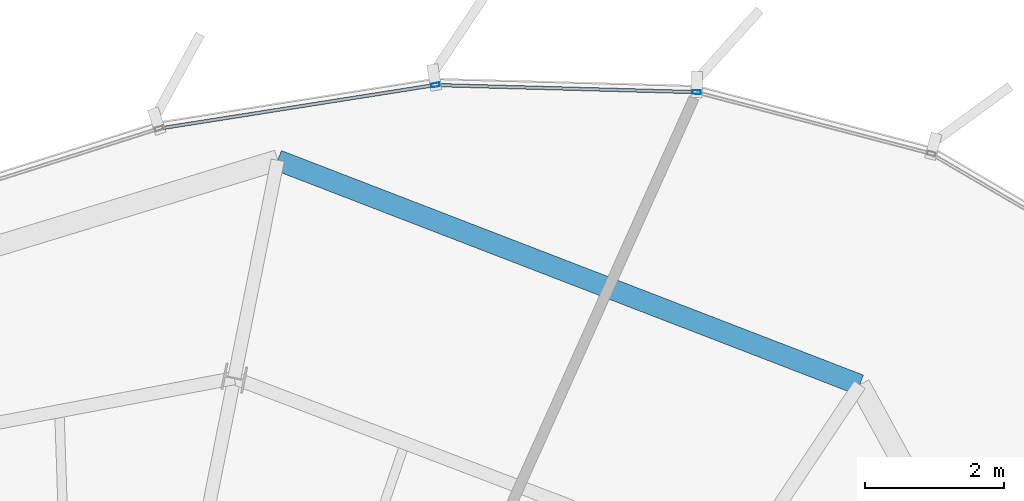
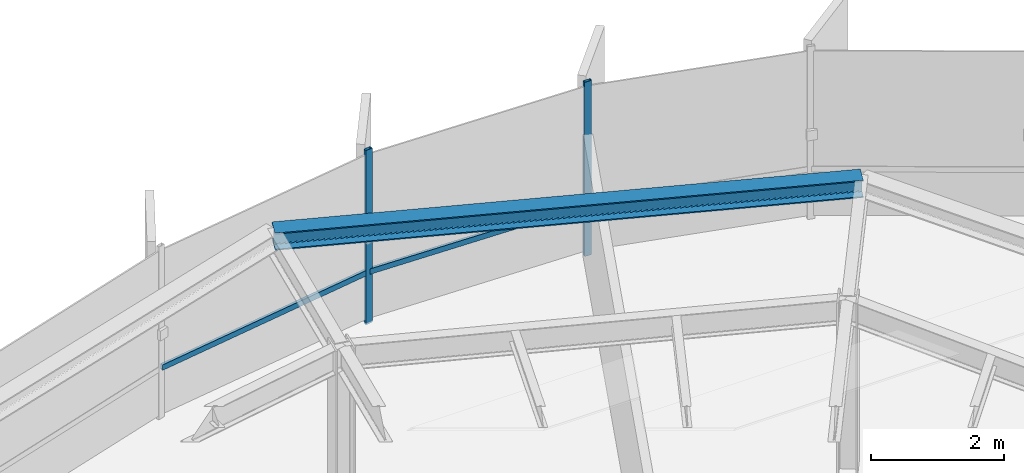
# One storey, part 24 of 36: 4 members, 1 beam, 1 element without a shape of its own.
"""IFC4 building model written with IfcOpenShell, lengths in metres."""

import ifcopenshell
import ifcopenshell.guid

model = None  # the IFC model being written
_history = None  # IfcOwnerHistory: only IFC2X3 demands one
_inside = {}  # id of a spatial element -> (the spatial element, [elements in it])
_under = {}  # id of a project, library or spatial element -> (it, [spatial elements below it])
_declared = {}  # id of a project -> (the project, [libraries it declares])
_typed = {}  # id of a type object -> (the type object, [elements of that type])
_made_of = {}  # id of a material, layer set ... -> (it, [elements and type objects made of it])


def new_model(schema):
    """Start an empty IFC model of exactly this schema.

    Asked for "IFC4X3", IfcOpenShell would pick the latest addendum, in which some entities
    have other attributes; the version numbers below select the first issue.
    IFC2X3 requires an IfcOwnerHistory on every rooted entity: one is made here for all.
    """
    global model, _history
    if schema == "IFC4X3":
        model = ifcopenshell.file(schema_version=(4, 3, 0, 0))
    else:
        model = ifcopenshell.file(schema=schema)
    _inside.clear()
    _under.clear()
    _declared.clear()
    _typed.clear()
    _made_of.clear()
    _history = None
    if model.schema == "IFC2X3":
        org = make("IfcOrganization", Name="unknown")
        user = make(
            "IfcPersonAndOrganization",
            ThePerson=make("IfcPerson", FamilyName="unknown"),
            TheOrganization=org,
        )
        app = make(
            "IfcApplication",
            ApplicationDeveloper=org,
            Version="unknown",
            ApplicationFullName="unknown",
            ApplicationIdentifier="unknown",
        )
        _history = make(
            "IfcOwnerHistory",
            OwningUser=user,
            OwningApplication=app,
            ChangeAction="ADDED",
            CreationDate=0,
        )
    return model


def make(cls, **values):
    """One entity of the class cls with the attributes given. An attribute that is None is left unset."""
    return model.create_entity(
        cls, **{name: value for name, value in values.items() if value is not None}
    )


def rooted(cls, **values):
    """An entity with a GlobalId (a new one), such as an element, a storey or a relation."""
    return make(cls, GlobalId=ifcopenshell.guid.new(), OwnerHistory=_history, **values)


def si_unit(unit_type, name, prefix=None):
    """IfcSIUnit, for example si_unit("LENGTHUNIT", "METRE", prefix="MILLI")."""
    return make("IfcSIUnit", UnitType=unit_type, Prefix=prefix, Name=name)


def assignment(units):
    """IfcUnitAssignment: the units of a project."""
    return None if units is None else make("IfcUnitAssignment", Units=units)


def point(xyz):
    """IfcCartesianPoint."""
    return None if xyz is None else make("IfcCartesianPoint", Coordinates=xyz)


def direction(xyz):
    """IfcDirection."""
    return None if xyz is None else make("IfcDirection", DirectionRatios=xyz)


def frame(location, z_axis=None, x_axis=None):
    """IfcAxis2Placement3D, a coordinate frame: its origin and axes. An axis left out is left unset."""
    return make(
        "IfcAxis2Placement3D",
        Location=point(location),
        Axis=direction(z_axis),
        RefDirection=direction(x_axis),
    )


def frame_2d(location, x_axis=None):
    """IfcAxis2Placement2D, a coordinate frame in the plane: its origin and x axis."""
    return make(
        "IfcAxis2Placement2D", Location=point(location), RefDirection=direction(x_axis)
    )


def origin():
    """The frame at (0, 0, 0) with its axes left unset."""
    return frame((0.0, 0.0, 0.0))


def origin_2d():
    """The frame at (0, 0) in the plane with its x axis left unset."""
    return frame_2d((0.0, 0.0))


def place(relative_to, where):
    """IfcLocalPlacement: puts the frame where relative to a parent placement (None: the world)."""
    return make(
        "IfcLocalPlacement", PlacementRelTo=relative_to, RelativePlacement=where
    )


def context(
    kind, dimensions, precision=None, world=None, true_north=None, identifier=None
):
    """IfcGeometricRepresentationContext, for example the 3D "Model" context."""
    return make(
        "IfcGeometricRepresentationContext",
        ContextIdentifier=identifier,
        ContextType=kind,
        CoordinateSpaceDimension=dimensions,
        Precision=precision,
        WorldCoordinateSystem=world,
        TrueNorth=true_north,
    )


def subcontext(parent, identifier, kind, view, scale=None):
    """IfcGeometricRepresentationSubContext, for example "Body" below "Model"."""
    return make(
        "IfcGeometricRepresentationSubContext",
        ContextIdentifier=identifier,
        ContextType=kind,
        ParentContext=parent,
        TargetScale=scale,
        TargetView=view,
    )


def project(units=None, contexts=None):
    """IfcProject with its units and contexts."""
    return rooted(
        "IfcProject",
        Name="project",
        RepresentationContexts=contexts,
        UnitsInContext=assignment(units),
    )


def spatial(cls, under=None, at=None, **own):
    """A site, building, storey or space (cls), placed at a placement, below another one or the project."""
    s = rooted(cls, ObjectPlacement=at, **own)
    if under is not None:
        _under.setdefault(under.id(), (under, []))[1].append(s)
    return s


def profile(cls, at=None, kind="AREA", **sizes):
    """A parametric profile (cls). Its sizes go by their IFC names, for example OverallWidth=200.0."""
    return make(cls, ProfileType=kind, Position=at, **sizes)


def hollow_rectangle(**sizes):
    """IfcRectangleHollowProfileDef."""
    return profile("IfcRectangleHollowProfileDef", **sizes)


def i_section(**sizes):
    """IfcIShapeProfileDef."""
    return profile("IfcIShapeProfileDef", **sizes)


def extrude(swept, where, along, depth):
    """IfcExtrudedAreaSolid: the profile swept, set in the frame where, extruded along a direction by depth."""
    return make(
        "IfcExtrudedAreaSolid",
        SweptArea=swept,
        Position=where,
        ExtrudedDirection=direction(along),
        Depth=depth,
    )


def shape(context_of_items, identifier, shape_type, items):
    """IfcShapeRepresentation: the items that make up one representation, for example the "Body"."""
    return make(
        "IfcShapeRepresentation",
        ContextOfItems=context_of_items,
        RepresentationIdentifier=identifier,
        RepresentationType=shape_type,
        Items=items,
    )


def source(mapping_origin, context_of_items, identifier, shape_type, items):
    """IfcRepresentationMap: a shape defined once, which mapped items show again and again."""
    return make(
        "IfcRepresentationMap",
        MappingOrigin=mapping_origin,
        MappedRepresentation=shape(context_of_items, identifier, shape_type, items),
    )


def transform(
    local_origin,
    x_axis=None,
    y_axis=None,
    z_axis=None,
    scale=None,
    scale2=None,
    scale3=None,
    uniform=True,
):
    """IfcCartesianTransformationOperator3D, or its non-uniform kind. x_axis, y_axis, z_axis: its Axis1, 2, 3."""
    if uniform:
        return make(
            "IfcCartesianTransformationOperator3D",
            Axis1=direction(x_axis),
            Axis2=direction(y_axis),
            LocalOrigin=point(local_origin),
            Scale=scale,
            Axis3=direction(z_axis),
        )
    return make(
        "IfcCartesianTransformationOperator3DnonUniform",
        Axis1=direction(x_axis),
        Axis2=direction(y_axis),
        LocalOrigin=point(local_origin),
        Scale=scale,
        Axis3=direction(z_axis),
        Scale2=scale2,
        Scale3=scale3,
    )


def mapped(mapping_source, mapping_target):
    """IfcMappedItem: shows the shape of a source again, moved by a transform."""
    return make(
        "IfcMappedItem", MappingSource=mapping_source, MappingTarget=mapping_target
    )


def material(Name=None, Category=None):
    """IfcMaterial."""
    return make("IfcMaterial", Name=Name, Category=Category)


def layer(
    of_material, thickness, ventilated=None, Name=None, Category=None, Priority=None
):
    """IfcMaterialLayer: one layer of a wall or slab, of a material (None: an air gap)."""
    return make(
        "IfcMaterialLayer",
        Material=of_material,
        LayerThickness=thickness,
        IsVentilated=ventilated,
        Name=Name,
        Category=Category,
        Priority=Priority,
    )


def layer_set(layers, Name=None):
    """IfcMaterialLayerSet."""
    return make("IfcMaterialLayerSet", MaterialLayers=layers, LayerSetName=Name)


def material_profile(
    of_material, cross_section, Name=None, Category=None, Priority=None
):
    """IfcMaterialProfile: a cross section and its material."""
    return make(
        "IfcMaterialProfile",
        Name=Name,
        Material=of_material,
        Profile=cross_section,
        Priority=Priority,
        Category=Category,
    )


def profile_set(profiles, Name=None, composite=None):
    """IfcMaterialProfileSet."""
    return make(
        "IfcMaterialProfileSet",
        Name=Name,
        MaterialProfiles=profiles,
        CompositeProfile=composite,
    )


def made_of(thing, what):
    """Note that an element or type object is made of a material, layer set ...; save() writes the relation."""
    if what is not None:
        _made_of.setdefault(what.id(), (what, []))[1].append(thing)
    return thing


def type_object(cls, material=None, **own):
    """A type object (cls), such as IfcWallType, which elements share."""
    return made_of(rooted(cls, **own), material)


def element(
    cls,
    number,
    at=None,
    inside=None,
    cuts=None,
    type_object=None,
    material=None,
    context=None,
    identifier="Body",
    shape_type=None,
    held_by="IfcProductDefinitionShape",
    body=None,
    shapes=None,
    **own,
):
    """One element of the class cls, such as IfcWall. Its Tag is "e" and its number.

    at: its placement. inside: the storey or other place that contains it. cuts: it is an
    opening in that element (IfcRelVoidsElement). A single representation is given by context,
    identifier, shape_type and body (its items); several are given by shapes. held_by: the class
    of the entity that holds the representations. save() writes the other relations.
    """
    e = rooted(cls, Tag="e%d" % number, ObjectPlacement=at, **own)
    if body is not None:
        shapes = [shape(context, identifier, shape_type, body)]
    if shapes is not None:
        e.Representation = make(held_by, Representations=shapes)
    if inside is not None:
        _inside.setdefault(inside.id(), (inside, []))[1].append(e)
    if cuts is not None:
        rooted(
            "IfcRelVoidsElement", RelatingBuildingElement=cuts, RelatedOpeningElement=e
        )
    if type_object is not None:
        _typed.setdefault(type_object.id(), (type_object, []))[1].append(e)
    return made_of(e, material)


def aggregate(whole, parts):
    """IfcRelAggregates: a whole, such as a stair, and the parts it consists of."""
    return rooted("IfcRelAggregates", RelatingObject=whole, RelatedObjects=parts)


def save(model, path):
    """Write the relations noted so far, then the file.

    IfcRelAggregates (storeys below a building ...), IfcRelContainedInSpatialStructure (elements
    in a storey), IfcRelDefinesByType, IfcRelAssociatesMaterial and IfcRelDeclares: one each for
    every whole, place, type object, material and project.
    """
    for whole, parts in _under.values():
        aggregate(whole, parts)
    for where, things in _inside.values():
        rooted(
            "IfcRelContainedInSpatialStructure",
            RelatedElements=things,
            RelatingStructure=where,
        )
    for kind, things in _typed.values():
        rooted("IfcRelDefinesByType", RelatedObjects=things, RelatingType=kind)
    for what, things in _made_of.values():
        rooted("IfcRelAssociatesMaterial", RelatedObjects=things, RelatingMaterial=what)
    for by, libraries in _declared.values():
        rooted("IfcRelDeclares", RelatingContext=by, RelatedDefinitions=libraries)
    model.write(path)


model = new_model("IFC4")

# Units and contexts
model_context = context("Model", 3, precision=1e-05, world=origin(), true_north=direction((0.0, 1.0)))
body_context = subcontext(model_context, "Body", "Model", "MODEL_VIEW")
ifc_project = project(units=[si_unit("LENGTHUNIT", "METRE"), si_unit("AREAUNIT", "SQUARE_METRE"), si_unit("VOLUMEUNIT", "CUBIC_METRE"), si_unit("PLANEANGLEUNIT", "RADIAN"), si_unit("MASSUNIT", "GRAM", prefix="KILO"), si_unit("THERMODYNAMICTEMPERATUREUNIT", "KELVIN")], contexts=[model_context])

# Site, building, storey
site_placement = place(None, origin())
site = spatial("IfcSite", under=ifc_project, at=site_placement, CompositionType="ELEMENT")
building_placement = place(site_placement, origin())
building = spatial("IfcBuilding", under=site, at=building_placement, Name="Kethvar Cultural Tower", CompositionType="ELEMENT")
storey_placement = place(building_placement, frame((0.0, 0.0, 242.199951171875)))
storey = spatial("IfcBuildingStorey", under=building, at=storey_placement, Name="L63", CompositionType="ELEMENT", Elevation=242.199951171875)

# Beam
ifc_material_1 = material(Name="Steel S355J2", Category="steel")
ifc_material_profile_1 = material_profile(ifc_material_1, i_section(OverallWidth=0.300048828125, OverallDepth=0.320068359375, WebThickness=0.011474609375, FlangeThickness=0.0205078125, FilletRadius=0.027099609375, at=origin_2d()), Name="Steel S355J2 — HEB320")
ifc_profile_set_1 = profile_set([ifc_material_profile_1], Name="Steel S355J2 — HEB320")
beam_type = type_object("IfcBeamType", Name="BM-SP320", PredefinedType="SPANDREL", material=ifc_profile_set_1)
shared_shape_1 = source(origin(), body_context, "Body", "SweptSolid", [
    extrude(i_section(OverallWidth=0.300048828125, OverallDepth=0.320068359375, WebThickness=0.011474609375, FlangeThickness=0.0205078125, FilletRadius=0.027099609375, at=origin_2d()), origin(), (0.0, 0.0, 1.0), 8.98583984375),
])
beam_placement = place(storey_placement, frame((59.653076171875, 47.035888671875, 3.048095703125), z_axis=(-0.932983803051, 0.359918356359, 0.0), x_axis=(-0.359918356359, -0.932983803051, 0.0)))
element("IfcBeam", 1, at=beam_placement, inside=storey, type_object=beam_type, Name="L63 Perimeter Spandrel Beam SP-03", PredefinedType="SPANDREL", context=body_context, shape_type="MappedRepresentation", body=[
    mapped(shared_shape_1, transform((0.0, 0.0, 0.0), scale=1.0)),
])

# Curtain wall, members
ifc_material_2 = material(Name="Aluminium 6063-T6", Category="aluminium")
ifc_layer = layer(ifc_material_2, 0.179931640625, Name="Aluminium 6063-T6", Category="aluminium")
ifc_layer_set = layer_set([ifc_layer], Name="Aluminium 6063-T6 (180 mm)")
curtain_wall_type = type_object("IfcCurtainWallType", Name="CW-SYS-05-Z56", PredefinedType="NOTDEFINED", material=ifc_layer_set)
curtain_wall_placement = place(storey_placement, origin())
curtain_wall = element("IfcCurtainWall", 2, at=curtain_wall_placement, inside=storey, type_object=curtain_wall_type, Name="L63 Curtain Wall Run 01", PredefinedType="NOTDEFINED")
ifc_material_profile_2 = material_profile(ifc_material_2, hollow_rectangle(XDim=0.054931640625, YDim=0.1201171875, WallThickness=0.00390625, at=origin_2d()), Name="Aluminium 6063-T6 — RHS120x55x4")
ifc_profile_set_2 = profile_set([ifc_material_profile_2], Name="Aluminium 6063-T6 — RHS120x55x4")
member_type_1 = type_object("IfcMemberType", Name="CW-SYS-05-Z56-MUL", PredefinedType="MULLION", material=ifc_profile_set_2)
shared_shape_2 = source(origin(), body_context, "Body", "SweptSolid", [
    extrude(hollow_rectangle(XDim=0.054931640625, YDim=0.1201171875, WallThickness=0.00390625, at=origin_2d()), origin(), (0.0, 0.0, 1.0), 3.2099609375),
])
member_1_placement = place(storey_placement, frame((57.304443359375, 51.250732421875, 0.0), z_axis=(0.0, 0.0, 1.0), x_axis=(-0.027084197612, -0.999633155833, 0.0)))
member_1 = element("IfcMember", 3, at=member_1_placement, type_object=member_type_1, Name="CW-L63-R01 Mullion 3", PredefinedType="MULLION", context=body_context, shape_type="MappedRepresentation", body=[
    mapped(shared_shape_2, transform((0.0, 0.0, 0.0), scale=1.0)),
])
member_2_placement = place(storey_placement, frame((53.543212890625, 51.3544921875, 0.0), z_axis=(0.0, 0.0, 1.0), x_axis=(0.15590005135, -0.987772835215, 0.0)))
member_2 = element("IfcMember", 4, at=member_2_placement, type_object=member_type_1, Name="CW-L63-R01 Mullion 4", PredefinedType="MULLION", context=body_context, shape_type="MappedRepresentation", body=[
    mapped(shared_shape_2, transform((0.0, 0.0, 0.0), scale=1.0)),
])
ifc_material_profile_3 = material_profile(ifc_material_2, hollow_rectangle(XDim=0.050048828125, YDim=0.10009765625, WallThickness=0.00390625, at=origin_2d()), Name="Aluminium 6063-T6 — RHS100x50x4")
ifc_profile_set_3 = profile_set([ifc_material_profile_3], Name="Aluminium 6063-T6 — RHS100x50x4")
member_type_2 = type_object("IfcMemberType", Name="CW-SYS-05-Z56-TRN", PredefinedType="USERDEFINED", material=ifc_profile_set_3)
shared_shape_3 = source(origin(), body_context, "Body", "SweptSolid", [
    extrude(hollow_rectangle(XDim=0.050048828125, YDim=0.10009765625, WallThickness=0.00390625, at=origin_2d()), origin(), (0.0, 0.0, 1.0), 3.701904296875),
])
member_3_placement = place(storey_placement, frame((57.264892578125, 51.251953125, 0.949951171875), z_axis=(-0.999632558903, 0.027106220341, 0.0), x_axis=(-0.027106220341, -0.999632558903, 0.0)))
member_3 = element("IfcMember", 5, at=member_3_placement, type_object=member_type_2, Name="CW-L63-R01 Transom 3", ObjectType="TRANSOM", PredefinedType="USERDEFINED", context=body_context, shape_type="MappedRepresentation", body=[
    mapped(shared_shape_3, transform((0.0, 0.0, 0.0), scale=1.0)),
])
shared_shape_4 = source(origin(), body_context, "Body", "SweptSolid", [
    extrude(hollow_rectangle(XDim=0.050048828125, YDim=0.10009765625, WallThickness=0.00390625, at=origin_2d()), origin(), (0.0, 0.0, 1.0), 3.9658203125),
])
member_4_placement = place(storey_placement, frame((53.504150390625, 51.34814453125, 0.949951171875), z_axis=(-0.987776438921, -0.155877216787, 0.0), x_axis=(0.155877216787, -0.987776438921, 0.0)))
member_4 = element("IfcMember", 6, at=member_4_placement, type_object=member_type_2, Name="CW-L63-R01 Transom 4", ObjectType="TRANSOM", PredefinedType="USERDEFINED", context=body_context, shape_type="MappedRepresentation", body=[
    mapped(shared_shape_4, transform((0.0, 0.0, 0.0), scale=1.0)),
])
aggregate(curtain_wall, [member_1, member_2, member_3, member_4])

save(model, "model.ifc")
